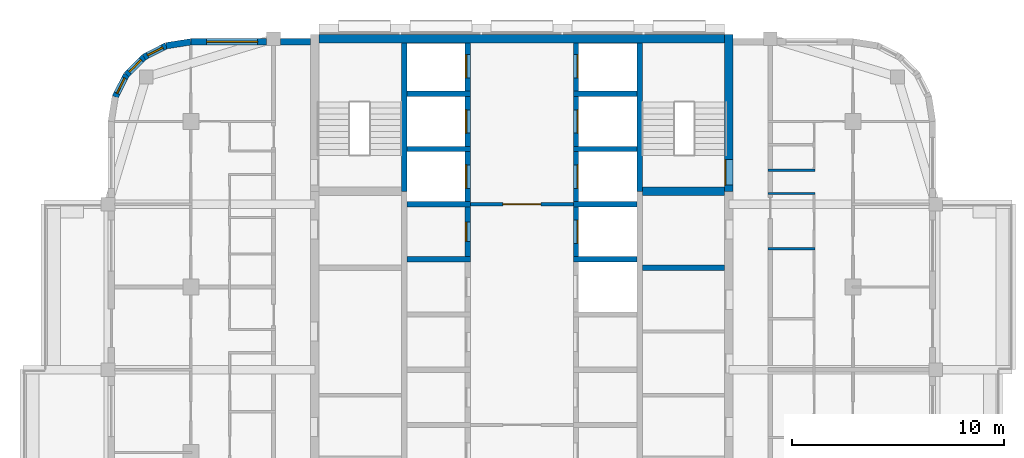
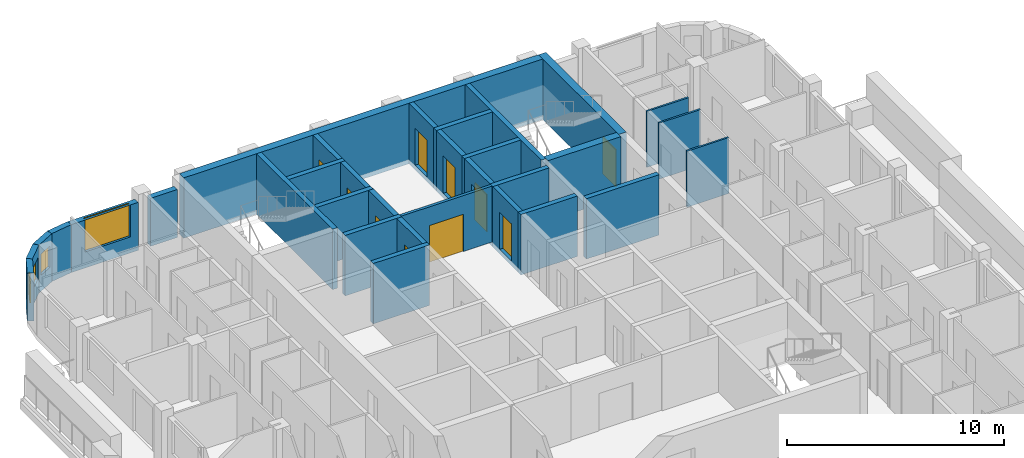
# One storey, part 8 of 13: 32 walls, 10 doors, 4 windows, 14 openings.
"""IFC4 building model written with IfcOpenShell, lengths in metres."""

import ifcopenshell
import ifcopenshell.guid

model = None  # the IFC model being written
_history = None  # IfcOwnerHistory: only IFC2X3 demands one
_inside = {}  # id of a spatial element -> (the spatial element, [elements in it])
_under = {}  # id of a project, library or spatial element -> (it, [spatial elements below it])
_declared = {}  # id of a project -> (the project, [libraries it declares])
_typed = {}  # id of a type object -> (the type object, [elements of that type])
_made_of = {}  # id of a material, layer set ... -> (it, [elements and type objects made of it])


def new_model(schema):
    """Start an empty IFC model of exactly this schema.

    Asked for "IFC4X3", IfcOpenShell would pick the latest addendum, in which some entities
    have other attributes; the version numbers below select the first issue.
    IFC2X3 requires an IfcOwnerHistory on every rooted entity: one is made here for all.
    """
    global model, _history
    if schema == "IFC4X3":
        model = ifcopenshell.file(schema_version=(4, 3, 0, 0))
    else:
        model = ifcopenshell.file(schema=schema)
    _inside.clear()
    _under.clear()
    _declared.clear()
    _typed.clear()
    _made_of.clear()
    _history = None
    if model.schema == "IFC2X3":
        org = make("IfcOrganization", Name="unknown")
        user = make(
            "IfcPersonAndOrganization",
            ThePerson=make("IfcPerson", FamilyName="unknown"),
            TheOrganization=org,
        )
        app = make(
            "IfcApplication",
            ApplicationDeveloper=org,
            Version="unknown",
            ApplicationFullName="unknown",
            ApplicationIdentifier="unknown",
        )
        _history = make(
            "IfcOwnerHistory",
            OwningUser=user,
            OwningApplication=app,
            ChangeAction="ADDED",
            CreationDate=0,
        )
    return model


def make(cls, **values):
    """One entity of the class cls with the attributes given. An attribute that is None is left unset."""
    return model.create_entity(
        cls, **{name: value for name, value in values.items() if value is not None}
    )


def rooted(cls, **values):
    """An entity with a GlobalId (a new one), such as an element, a storey or a relation."""
    return make(cls, GlobalId=ifcopenshell.guid.new(), OwnerHistory=_history, **values)


def si_unit(unit_type, name, prefix=None):
    """IfcSIUnit, for example si_unit("LENGTHUNIT", "METRE", prefix="MILLI")."""
    return make("IfcSIUnit", UnitType=unit_type, Prefix=prefix, Name=name)


def assignment(units):
    """IfcUnitAssignment: the units of a project."""
    return None if units is None else make("IfcUnitAssignment", Units=units)


def point(xyz):
    """IfcCartesianPoint."""
    return None if xyz is None else make("IfcCartesianPoint", Coordinates=xyz)


def direction(xyz):
    """IfcDirection."""
    return None if xyz is None else make("IfcDirection", DirectionRatios=xyz)


def frame(location, z_axis=None, x_axis=None):
    """IfcAxis2Placement3D, a coordinate frame: its origin and axes. An axis left out is left unset."""
    return make(
        "IfcAxis2Placement3D",
        Location=point(location),
        Axis=direction(z_axis),
        RefDirection=direction(x_axis),
    )


def frame_2d(location, x_axis=None):
    """IfcAxis2Placement2D, a coordinate frame in the plane: its origin and x axis."""
    return make(
        "IfcAxis2Placement2D", Location=point(location), RefDirection=direction(x_axis)
    )


def origin():
    """The frame at (0, 0, 0) with its axes left unset."""
    return frame((0.0, 0.0, 0.0))


def place(relative_to, where):
    """IfcLocalPlacement: puts the frame where relative to a parent placement (None: the world)."""
    return make(
        "IfcLocalPlacement", PlacementRelTo=relative_to, RelativePlacement=where
    )


def context(
    kind, dimensions, precision=None, world=None, true_north=None, identifier=None
):
    """IfcGeometricRepresentationContext, for example the 3D "Model" context."""
    return make(
        "IfcGeometricRepresentationContext",
        ContextIdentifier=identifier,
        ContextType=kind,
        CoordinateSpaceDimension=dimensions,
        Precision=precision,
        WorldCoordinateSystem=world,
        TrueNorth=true_north,
    )


def subcontext(parent, identifier, kind, view, scale=None):
    """IfcGeometricRepresentationSubContext, for example "Body" below "Model"."""
    return make(
        "IfcGeometricRepresentationSubContext",
        ContextIdentifier=identifier,
        ContextType=kind,
        ParentContext=parent,
        TargetScale=scale,
        TargetView=view,
    )


def project(units=None, contexts=None):
    """IfcProject with its units and contexts."""
    return rooted(
        "IfcProject",
        Name="project",
        RepresentationContexts=contexts,
        UnitsInContext=assignment(units),
    )


def spatial(cls, under=None, at=None, **own):
    """A site, building, storey or space (cls), placed at a placement, below another one or the project."""
    s = rooted(cls, ObjectPlacement=at, **own)
    if under is not None:
        _under.setdefault(under.id(), (under, []))[1].append(s)
    return s


def profile(cls, at=None, kind="AREA", **sizes):
    """A parametric profile (cls). Its sizes go by their IFC names, for example OverallWidth=200.0."""
    return make(cls, ProfileType=kind, Position=at, **sizes)


def rectangle(**sizes):
    """IfcRectangleProfileDef."""
    return profile("IfcRectangleProfileDef", **sizes)


def extrude(swept, where, along, depth):
    """IfcExtrudedAreaSolid: the profile swept, set in the frame where, extruded along a direction by depth."""
    return make(
        "IfcExtrudedAreaSolid",
        SweptArea=swept,
        Position=where,
        ExtrudedDirection=direction(along),
        Depth=depth,
    )


def shape(context_of_items, identifier, shape_type, items):
    """IfcShapeRepresentation: the items that make up one representation, for example the "Body"."""
    return make(
        "IfcShapeRepresentation",
        ContextOfItems=context_of_items,
        RepresentationIdentifier=identifier,
        RepresentationType=shape_type,
        Items=items,
    )


def material(Name=None, Category=None):
    """IfcMaterial."""
    return make("IfcMaterial", Name=Name, Category=Category)


def layer(
    of_material, thickness, ventilated=None, Name=None, Category=None, Priority=None
):
    """IfcMaterialLayer: one layer of a wall or slab, of a material (None: an air gap)."""
    return make(
        "IfcMaterialLayer",
        Material=of_material,
        LayerThickness=thickness,
        IsVentilated=ventilated,
        Name=Name,
        Category=Category,
        Priority=Priority,
    )


def layer_set(layers, Name=None):
    """IfcMaterialLayerSet."""
    return make("IfcMaterialLayerSet", MaterialLayers=layers, LayerSetName=Name)


def made_of(thing, what):
    """Note that an element or type object is made of a material, layer set ...; save() writes the relation."""
    if what is not None:
        _made_of.setdefault(what.id(), (what, []))[1].append(thing)
    return thing


def type_object(cls, material=None, **own):
    """A type object (cls), such as IfcWallType, which elements share."""
    return made_of(rooted(cls, **own), material)


def element(
    cls,
    number,
    at=None,
    inside=None,
    cuts=None,
    type_object=None,
    material=None,
    context=None,
    identifier="Body",
    shape_type=None,
    held_by="IfcProductDefinitionShape",
    body=None,
    shapes=None,
    **own,
):
    """One element of the class cls, such as IfcWall. Its Tag is "e" and its number.

    at: its placement. inside: the storey or other place that contains it. cuts: it is an
    opening in that element (IfcRelVoidsElement). A single representation is given by context,
    identifier, shape_type and body (its items); several are given by shapes. held_by: the class
    of the entity that holds the representations. save() writes the other relations.
    """
    e = rooted(cls, Tag="e%d" % number, ObjectPlacement=at, **own)
    if body is not None:
        shapes = [shape(context, identifier, shape_type, body)]
    if shapes is not None:
        e.Representation = make(held_by, Representations=shapes)
    if inside is not None:
        _inside.setdefault(inside.id(), (inside, []))[1].append(e)
    if cuts is not None:
        rooted(
            "IfcRelVoidsElement", RelatingBuildingElement=cuts, RelatedOpeningElement=e
        )
    if type_object is not None:
        _typed.setdefault(type_object.id(), (type_object, []))[1].append(e)
    return made_of(e, material)


def fill(opening, filler):
    """IfcRelFillsElement: the door or window that sits in an opening."""
    return rooted(
        "IfcRelFillsElement",
        RelatingOpeningElement=opening,
        RelatedBuildingElement=filler,
    )


def aggregate(whole, parts):
    """IfcRelAggregates: a whole, such as a stair, and the parts it consists of."""
    return rooted("IfcRelAggregates", RelatingObject=whole, RelatedObjects=parts)


def save(model, path):
    """Write the relations noted so far, then the file.

    IfcRelAggregates (storeys below a building ...), IfcRelContainedInSpatialStructure (elements
    in a storey), IfcRelDefinesByType, IfcRelAssociatesMaterial and IfcRelDeclares: one each for
    every whole, place, type object, material and project.
    """
    for whole, parts in _under.values():
        aggregate(whole, parts)
    for where, things in _inside.values():
        rooted(
            "IfcRelContainedInSpatialStructure",
            RelatedElements=things,
            RelatingStructure=where,
        )
    for kind, things in _typed.values():
        rooted("IfcRelDefinesByType", RelatedObjects=things, RelatingType=kind)
    for what, things in _made_of.values():
        rooted("IfcRelAssociatesMaterial", RelatedObjects=things, RelatingMaterial=what)
    for by, libraries in _declared.values():
        rooted("IfcRelDeclares", RelatingContext=by, RelatedDefinitions=libraries)
    model.write(path)


model = new_model("IFC4")

# Units and contexts
model_context = context("Model", 3, precision=1e-05, world=origin(), true_north=direction((0.0, 1.0)))
body_context = subcontext(model_context, "Body", "Model", "MODEL_VIEW")
ifc_project = project(units=[si_unit("LENGTHUNIT", "METRE"), si_unit("AREAUNIT", "SQUARE_METRE"), si_unit("VOLUMEUNIT", "CUBIC_METRE"), si_unit("PLANEANGLEUNIT", "RADIAN"), si_unit("MASSUNIT", "GRAM", prefix="KILO")], contexts=[model_context])

# Site, building, storey
site_placement = place(None, origin())
site = spatial("IfcSite", under=ifc_project, at=site_placement, CompositionType="ELEMENT")
building_placement = place(site_placement, origin())
building = spatial("IfcBuilding", under=site, at=building_placement, Name="Ludao Terraces", CompositionType="ELEMENT")
storey_placement = place(building_placement, frame((0.0, 0.0, 252.800048828125)))
storey = spatial("IfcBuildingStorey", under=building, at=storey_placement, Name="L69", CompositionType="ELEMENT", Elevation=252.800048828125)

# Wall, opening, door
ifc_material_1 = material(Name="Concrete C50", Category="concrete")
ifc_layer_1 = layer(ifc_material_1, 0.39990234375)
ifc_layer_set_1 = layer_set([ifc_layer_1], Name="Core wall 400 C50")
wall_type_1 = type_object("IfcWallType", Name="Core wall 400 C50", PredefinedType="SOLIDWALL", material=ifc_layer_set_1)
wall_1_placement = place(storey_placement, frame((94.75, 77.300048828125, -0.25), z_axis=(0.0, 0.0, 1.0), x_axis=(0.0, 1.0, 0.0)))
wall_1 = element("IfcWall", 1, at=wall_1_placement, inside=storey, type_object=wall_type_1, Name="Core wall L69 outer-E-S2", PredefinedType="SOLIDWALL", context=body_context, shape_type="SweptSolid", body=[
    extrude(rectangle(XDim=7.39990234375, YDim=0.39990234375, at=frame_2d((3.699951171875, 0.0))), origin(), (0.0, 0.0, 1.0), 3.39990234375),
])
opening_1_placement = place(wall_1_placement, frame((0.300048828125, 0.0, 0.25)))
opening_1 = element("IfcOpeningElement", 2, at=opening_1_placement, cuts=wall_1, Name="Opening R25-079", PredefinedType="OPENING", context=body_context, shape_type="SweptSolid", body=[
    extrude(rectangle(XDim=1.199951171875, YDim=2.10009765625, at=frame_2d((0.60009765625, 1.050048828125))), frame((0.0, 0.2099609375, 0.0), z_axis=(0.0, -1.0, 0.0), x_axis=(1.0, 0.0, 0.0)), (0.0, 0.0, 1.0), 0.419921875),
])
ifc_material_2 = material(Name="Steel Q235", Category="steel")
door_type_1 = type_object("IfcDoorType", Name="INT Stair door 1200", OperationType="DOUBLE_DOOR_SINGLE_SWING", PredefinedType="DOOR", material=ifc_material_2)
door_1_placement = place(opening_1_placement, origin())
door_1 = element("IfcDoor", 3, at=door_1_placement, inside=storey, type_object=door_type_1, Name="DOOR 079", OperationType="DOUBLE_DOOR_SINGLE_SWING", OverallHeight=2.10009765625, OverallWidth=1.199951171875, PredefinedType="DOOR", context=body_context, shape_type="SweptSolid", body=[
    extrude(rectangle(XDim=1.199951171875, YDim=2.10009765625, at=frame_2d((0.60009765625, 1.050048828125))), frame((0.0, 0.18505859375, 0.0), z_axis=(0.0, -1.0, 0.0), x_axis=(1.0, 0.0, 0.0)), (0.0, 0.0, 1.0), 0.050048828125),
])
fill(opening_1, door_1)

# Wall
wall_2_placement = place(storey_placement, frame((75.449951171875, 84.5, -0.25), z_axis=(0.0, 0.0, 1.0), x_axis=(1.0, 0.0, 0.0)))
element("IfcWall", 4, at=wall_2_placement, inside=storey, type_object=wall_type_1, Name="Core wall L69 outer-N", PredefinedType="SOLIDWALL", context=body_context, shape_type="SweptSolid", body=[
    extrude(rectangle(XDim=19.10009765625, YDim=0.39990234375, at=frame_2d((9.550048828125, 0.0))), origin(), (0.0, 0.0, 1.0), 3.39990234375),
])

# Wall, opening, window
ifc_material_3 = material(Name="Granite cladding", Category="masonry")
ifc_layer_2 = layer(ifc_material_3, 0.0400390625, Category="stone")
ifc_material_4 = material(Name="Mineral wool")
ifc_layer_3 = layer(ifc_material_4, 0.06005859375)
ifc_material_5 = material(Name="Concrete C40", Category="concrete")
ifc_layer_4 = layer(ifc_material_5, 0.199951171875, Category="concrete")
ifc_layer_set_2 = layer_set([ifc_layer_2, ifc_layer_3, ifc_layer_4], Name="ENV Stone-clad wall 300")
wall_type_2 = type_object("IfcWallType", Name="ENV Stone-clad wall 300", PredefinedType="SOLIDWALL", material=ifc_layer_set_2)
wall_3_placement = place(storey_placement, frame((69.39990234375, 84.35009765625, 0.0), z_axis=(0.0, 0.0, 1.0), x_axis=(1.0, 0.0, 0.0)))
wall_3 = element("IfcWall", 5, at=wall_3_placement, inside=storey, type_object=wall_type_2, Name="EW-L69-N1", PredefinedType="SOLIDWALL", context=body_context, shape_type="SweptSolid", body=[
    extrude(rectangle(XDim=3.5751953125, YDim=0.300048828125, at=frame_2d((1.78759765625, 0.0))), origin(), (0.0, 0.0, 1.0), 2.699951171875),
])
opening_2_placement = place(wall_3_placement, frame((0.75, 0.0, 0.89990234375)))
opening_2 = element("IfcOpeningElement", 6, at=opening_2_placement, cuts=wall_3, Name="Opening W1", PredefinedType="OPENING", context=body_context, shape_type="SweptSolid", body=[
    extrude(rectangle(XDim=2.39990234375, YDim=1.800048828125, at=frame_2d((1.199951171875, 0.89990234375))), frame((0.0, 0.16015625, 0.0), z_axis=(0.0, -1.0, 0.0), x_axis=(1.0, 0.0, 0.0)), (0.0, 0.0, 1.0), 0.320068359375),
])
ifc_material_6 = material(Name="Clear glass in aluminium frame", Category="aluminium")
ifc_layer_5 = layer(ifc_material_6, 0.06005859375)
ifc_layer_set_3 = layer_set([ifc_layer_5], Name="ENV Window W1 2400x1800")
window_type_1 = type_object("IfcWindowType", Name="ENV Window W1 2400x1800", PartitioningType="DOUBLE_PANEL_VERTICAL", PredefinedType="WINDOW", material=ifc_layer_set_3)
window_1_placement = place(opening_2_placement, origin())
window_1 = element("IfcWindow", 7, at=window_1_placement, inside=storey, type_object=window_type_1, Name="W-L69-N1-1", OverallHeight=1.800048828125, OverallWidth=2.39990234375, PartitioningType="DOUBLE_PANEL_VERTICAL", PredefinedType="WINDOW", context=body_context, shape_type="SweptSolid", body=[
    extrude(rectangle(XDim=2.39990234375, YDim=1.800048828125, at=frame_2d((1.199951171875, 0.89990234375))), frame((0.0, 0.030029296875, 0.0), z_axis=(0.0, -1.0, 0.0), x_axis=(1.0, 0.0, 0.0)), (0.0, 0.0, 1.0), 0.06005859375),
])
fill(opening_2, window_1)

# Walls
wall_4_placement = place(storey_placement, frame((73.625, 84.35009765625, 0.0), z_axis=(0.0, 0.0, 1.0), x_axis=(1.0, 0.0, 0.0)))
element("IfcWall", 8, at=wall_4_placement, inside=storey, type_object=wall_type_2, Name="EW-L69-N2", PredefinedType="SOLIDWALL", context=body_context, shape_type="SweptSolid", body=[
    extrude(rectangle(XDim=1.425048828125, YDim=0.300048828125, at=frame_2d((0.71240234375, 0.0))), origin(), (0.0, 0.0, 1.0), 2.699951171875),
])
wall_5_placement = place(storey_placement, frame((69.39990234375, 84.35009765625, 0.0), z_axis=(0.0, 0.0, 1.0), x_axis=(-0.987678452879, -0.156496880861, 0.0)))
element("IfcWall", 9, at=wall_5_placement, inside=storey, type_object=wall_type_2, Name="EW-L69-NW1", PredefinedType="SOLIDWALL", context=body_context, shape_type="SweptSolid", body=[
    extrude(rectangle(XDim=1.173095703125, YDim=0.300048828125, at=frame_2d((0.58642578125, 0.0))), origin(), (0.0, 0.0, 1.0), 2.699951171875),
])

# Wall, opening, window
wall_6_placement = place(storey_placement, frame((68.2412109375, 84.16650390625, 0.0), z_axis=(0.0, 0.0, 1.0), x_axis=(-0.890988677504, -0.454025524128, 0.0)))
wall_6 = element("IfcWall", 10, at=wall_6_placement, inside=storey, type_object=wall_type_2, Name="EW-L69-NW2", PredefinedType="SOLIDWALL", context=body_context, shape_type="SweptSolid", body=[
    extrude(rectangle(XDim=1.17333984375, YDim=0.300048828125, at=frame_2d((0.586669921875, 0.0))), origin(), (0.0, 0.0, 1.0), 2.699951171875),
])
opening_3_placement = place(wall_6_placement, frame((0.1865234375, 0.0, 0.89990234375)))
opening_3 = element("IfcOpeningElement", 11, at=opening_3_placement, cuts=wall_6, Name="Opening W3", PredefinedType="OPENING", context=body_context, shape_type="SweptSolid", body=[
    extrude(rectangle(XDim=0.800048828125, YDim=1.199951171875, at=frame_2d((0.39990234375, 0.60009765625))), frame((0.0, 0.16015625, 0.0), z_axis=(0.0, -1.0, 0.0), x_axis=(1.0, 0.0, 0.0)), (0.0, 0.0, 1.0), 0.320068359375),
])
ifc_layer_6 = layer(ifc_material_6, 0.06005859375)
ifc_layer_set_4 = layer_set([ifc_layer_6], Name="ENV Window W3 800x1200")
window_type_2 = type_object("IfcWindowType", Name="ENV Window W3 800x1200", PartitioningType="SINGLE_PANEL", PredefinedType="WINDOW", material=ifc_layer_set_4)
window_2_placement = place(opening_3_placement, origin())
window_2 = element("IfcWindow", 12, at=window_2_placement, inside=storey, type_object=window_type_2, Name="W-L69-NW2", OverallHeight=1.199951171875, OverallWidth=0.800048828125, PartitioningType="SINGLE_PANEL", PredefinedType="WINDOW", context=body_context, shape_type="SweptSolid", body=[
    extrude(rectangle(XDim=0.800048828125, YDim=1.199951171875, at=frame_2d((0.39990234375, 0.60009765625))), frame((0.0, 0.030029296875, 0.0), z_axis=(0.0, -1.0, 0.0), x_axis=(1.0, 0.0, 0.0)), (0.0, 0.0, 1.0), 0.06005859375),
])
fill(opening_3, window_2)

wall_7_placement = place(storey_placement, frame((67.19580078125, 83.6337890625, 0.0), z_axis=(0.0, 0.0, 1.0), x_axis=(-0.707106781187, -0.707106781187, 0.0)))
wall_7 = element("IfcWall", 13, at=wall_7_placement, inside=storey, type_object=wall_type_2, Name="EW-L69-NW3", PredefinedType="SOLIDWALL", context=body_context, shape_type="SweptSolid", body=[
    extrude(rectangle(XDim=1.173095703125, YDim=0.300048828125, at=frame_2d((0.58642578125, 0.0))), origin(), (0.0, 0.0, 1.0), 2.699951171875),
])
opening_4_placement = place(wall_7_placement, frame((0.1865234375, 0.0, 0.89990234375)))
opening_4 = element("IfcOpeningElement", 14, at=opening_4_placement, cuts=wall_7, Name="Opening W3", PredefinedType="OPENING", context=body_context, shape_type="SweptSolid", body=[
    extrude(rectangle(XDim=0.800048828125, YDim=1.199951171875, at=frame_2d((0.39990234375, 0.60009765625))), frame((0.0, 0.16015625, 0.0), z_axis=(0.0, -1.0, 0.0), x_axis=(1.0, 0.0, 0.0)), (0.0, 0.0, 1.0), 0.320068359375),
])
window_3_placement = place(opening_4_placement, origin())
window_3 = element("IfcWindow", 15, at=window_3_placement, inside=storey, type_object=window_type_2, Name="W-L69-NW3", OverallHeight=1.199951171875, OverallWidth=0.800048828125, PartitioningType="SINGLE_PANEL", PredefinedType="WINDOW", context=body_context, shape_type="SweptSolid", body=[
    extrude(rectangle(XDim=0.800048828125, YDim=1.199951171875, at=frame_2d((0.39990234375, 0.60009765625))), frame((0.0, 0.030029296875, 0.0), z_axis=(0.0, -1.0, 0.0), x_axis=(1.0, 0.0, 0.0)), (0.0, 0.0, 1.0), 0.06005859375),
])
fill(opening_4, window_3)

wall_8_placement = place(storey_placement, frame((66.3662109375, 82.80419921875, 0.0), z_axis=(0.0, 0.0, 1.0), x_axis=(-0.454025524128, -0.890988677504, 0.0)))
wall_8 = element("IfcWall", 16, at=wall_8_placement, inside=storey, type_object=wall_type_2, Name="EW-L69-NW4", PredefinedType="SOLIDWALL", context=body_context, shape_type="SweptSolid", body=[
    extrude(rectangle(XDim=1.17333984375, YDim=0.300048828125, at=frame_2d((0.586669921875, 0.0))), origin(), (0.0, 0.0, 1.0), 2.699951171875),
])
opening_5_placement = place(wall_8_placement, frame((0.1865234375, 0.0, 0.89990234375)))
opening_5 = element("IfcOpeningElement", 17, at=opening_5_placement, cuts=wall_8, Name="Opening W3", PredefinedType="OPENING", context=body_context, shape_type="SweptSolid", body=[
    extrude(rectangle(XDim=0.800048828125, YDim=1.199951171875, at=frame_2d((0.39990234375, 0.60009765625))), frame((0.0, 0.16015625, 0.0), z_axis=(0.0, -1.0, 0.0), x_axis=(1.0, 0.0, 0.0)), (0.0, 0.0, 1.0), 0.320068359375),
])
window_4_placement = place(opening_5_placement, origin())
window_4 = element("IfcWindow", 18, at=window_4_placement, inside=storey, type_object=window_type_2, Name="W-L69-NW4", OverallHeight=1.199951171875, OverallWidth=0.800048828125, PartitioningType="SINGLE_PANEL", PredefinedType="WINDOW", context=body_context, shape_type="SweptSolid", body=[
    extrude(rectangle(XDim=0.800048828125, YDim=1.199951171875, at=frame_2d((0.39990234375, 0.60009765625))), frame((0.0, 0.030029296875, 0.0), z_axis=(0.0, -1.0, 0.0), x_axis=(1.0, 0.0, 0.0)), (0.0, 0.0, 1.0), 0.06005859375),
])
fill(opening_5, window_4)

# Wall, opening, door
ifc_material_7 = material(Name="Fire-rated gypsum plasterboard", Category="gypsum")
ifc_layer_7 = layer(ifc_material_7, 0.012451171875, Category="gypsum")
ifc_layer_8 = layer(ifc_material_4, 0.10009765625, Name="insulation")
ifc_layer_9 = layer(ifc_material_2, 0.02490234375, Name="stud")
ifc_layer_10 = layer(ifc_material_7, 0.012451171875, Category="gypsum")
ifc_layer_set_5 = layer_set([ifc_layer_7, ifc_layer_8, ifc_layer_9, ifc_layer_10], Name="INT Core partition 150")
wall_type_3 = type_object("IfcWallType", Name="INT Core partition 150", PredefinedType="PARTITIONING", material=ifc_layer_set_5)
wall_9_placement = place(storey_placement, frame((82.5751953125, 76.699951171875, 0.0), z_axis=(0.0, 0.0, 1.0), x_axis=(1.0, 0.0, 0.0)))
wall_9 = element("IfcWall", 19, at=wall_9_placement, inside=storey, type_object=wall_type_3, Name="PW-L69-PW041", PredefinedType="PARTITIONING", context=body_context, shape_type="SweptSolid", body=[
    extrude(rectangle(XDim=4.849853515625, YDim=0.14990234375, at=frame_2d((2.4248046875, 0.0))), origin(), (0.0, 0.0, 1.0), 3.14990234375),
])
opening_6_placement = place(wall_9_placement, frame((1.52490234375, 0.0, 0.0)))
opening_6 = element("IfcOpeningElement", 20, at=opening_6_placement, cuts=wall_9, Name="Opening R25-074", PredefinedType="OPENING", context=body_context, shape_type="SweptSolid", body=[
    extrude(rectangle(XDim=1.800048828125, YDim=2.10009765625, at=frame_2d((0.89990234375, 1.050048828125))), frame((0.0, 0.0849609375, 0.0), z_axis=(0.0, -1.0, 0.0), x_axis=(1.0, 0.0, 0.0)), (0.0, 0.0, 1.0), 0.169921875),
])
door_type_2 = type_object("IfcDoorType", Name="INT Fire lobby door 1800", OperationType="DOUBLE_DOOR_SINGLE_SWING", PredefinedType="DOOR", material=ifc_material_2)
door_2_placement = place(opening_6_placement, origin())
door_2 = element("IfcDoor", 21, at=door_2_placement, inside=storey, type_object=door_type_2, Name="DOOR 074", OperationType="DOUBLE_DOOR_SINGLE_SWING", OverallHeight=2.10009765625, OverallWidth=1.800048828125, PredefinedType="DOOR", context=body_context, shape_type="SweptSolid", body=[
    extrude(rectangle(XDim=1.800048828125, YDim=2.10009765625, at=frame_2d((0.89990234375, 1.050048828125))), frame((0.0, 0.02490234375, 0.0), z_axis=(0.0, -1.0, 0.0), x_axis=(1.0, 0.0, 0.0)), (0.0, 0.0, 1.0), 0.050048828125),
])
fill(opening_6, door_2)

# Walls
ifc_material_8 = material(Name="Gypsum plasterboard", Category="gypsum")
ifc_layer_11 = layer(ifc_material_8, 0.012451171875, Category="gypsum")
ifc_layer_12 = layer(ifc_material_4, 0.06005859375, Name="insulation")
ifc_layer_13 = layer(ifc_material_2, 0.014892578125, Name="stud")
ifc_layer_14 = layer(ifc_material_8, 0.012451171875, Category="gypsum")
ifc_layer_set_6 = layer_set([ifc_layer_11, ifc_layer_12, ifc_layer_13, ifc_layer_14], Name="INT Partition 100")
wall_type_4 = type_object("IfcWallType", Name="INT Partition 100", PredefinedType="PARTITIONING", material=ifc_layer_set_6)
for number, where, z_axis, x_axis, name in (
    (22, (96.60009765625, 74.60009765625, 0.0), (0.0, 0.0, 1.0), (1.0, 0.0, 0.0), "PW-L69-PW038"),
    (23, (96.60009765625, 77.199951171875, 0.0), (0.0, 0.0, 1.0), (1.0, 0.0, 0.0), "PW-L69-PW043"),
    (24, (96.60009765625, 78.300048828125, 0.0), (0.0, 0.0, 1.0), (1.0, 0.0, 0.0), "PW-L69-PW045"),
):
    element("IfcWall", number, at=place(storey_placement, frame(where, z_axis=z_axis, x_axis=x_axis)), inside=storey, type_object=wall_type_4, Name=name, PredefinedType="PARTITIONING", context=body_context, shape_type="SweptSolid", body=[
        extrude(rectangle(XDim=2.219970703125, YDim=0.10009765625, at=frame_2d((1.10986328125, 0.0))), origin(), (0.0, 0.0, 1.0), 3.14990234375),
    ])
ifc_layer_15 = layer(ifc_material_1, 0.25)
ifc_layer_set_7 = layer_set([ifc_layer_15], Name="Shaft wall 250 C50")
wall_type_5 = type_object("IfcWallType", Name="Shaft wall 250 C50", PredefinedType="SOLIDWALL", material=ifc_layer_set_7)
for number, where, z_axis, x_axis, name in (
    (25, (79.449951171875, 77.300048828125, -0.25), (0.0, 0.0, 1.0), (0.0, 1.0, 0.0), "Core wall L69 back-W-S1"),
    (26, (90.550048828125, 77.300048828125, -0.25), (0.0, 0.0, 1.0), (0.0, 1.0, 0.0), "Core wall L69 back-E-S2"),
):
    element("IfcWall", number, at=place(storey_placement, frame(where, z_axis=z_axis, x_axis=x_axis)), inside=storey, type_object=wall_type_5, Name=name, PredefinedType="SOLIDWALL", context=body_context, shape_type="SweptSolid", body=[
        extrude(rectangle(XDim=7.0, YDim=0.25, at=frame_2d((3.5, 0.0))), origin(), (0.0, 0.0, 1.0), 3.39990234375),
    ])
wall_10_placement = place(storey_placement, frame((79.574951171875, 74.10009765625, -0.25), z_axis=(0.0, 0.0, 1.0), x_axis=(1.0, 0.0, 0.0)))
element("IfcWall", 27, at=wall_10_placement, inside=storey, type_object=wall_type_5, Name="Core wall L69 div-W6", PredefinedType="SOLIDWALL", context=body_context, shape_type="SweptSolid", body=[
    extrude(rectangle(XDim=3.0, YDim=0.25, at=frame_2d((1.5, 0.0))), origin(), (0.0, 0.0, 1.0), 3.39990234375),
])

# Wall, opening, door
wall_11_placement = place(storey_placement, frame((82.449951171875, 74.22509765625, -0.25), z_axis=(0.0, 0.0, 1.0), x_axis=(0.0, 1.0, 0.0)))
wall_11 = element("IfcWall", 28, at=wall_11_placement, inside=storey, type_object=wall_type_5, Name="Core wall L69 front-W6", PredefinedType="SOLIDWALL", context=body_context, shape_type="SweptSolid", body=[
    extrude(rectangle(XDim=2.349853515625, YDim=0.25, at=frame_2d((1.1748046875, 0.0))), origin(), (0.0, 0.0, 1.0), 3.39990234375),
])
opening_7_placement = place(wall_11_placement, frame((0.72509765625, 0.0, 0.25)))
opening_7 = element("IfcOpeningElement", 29, at=opening_7_placement, cuts=wall_11, Name="Opening R25-068", PredefinedType="OPENING", context=body_context, shape_type="SweptSolid", body=[
    extrude(rectangle(XDim=0.89990234375, YDim=2.10009765625, at=frame_2d((0.449951171875, 1.050048828125))), frame((0.0, 0.135009765625, 0.0), z_axis=(0.0, -1.0, 0.0), x_axis=(1.0, 0.0, 0.0)), (0.0, 0.0, 1.0), 0.27001953125),
])
ifc_material_9 = material(Name="Timber door leaf", Category="wood")
door_type_3 = type_object("IfcDoorType", Name="INT Room door 900", OperationType="SINGLE_SWING_LEFT", PredefinedType="DOOR", material=ifc_material_9)
door_3_placement = place(opening_7_placement, origin())
door_3 = element("IfcDoor", 30, at=door_3_placement, inside=storey, type_object=door_type_3, Name="DOOR 068", OperationType="SINGLE_SWING_LEFT", OverallHeight=2.10009765625, OverallWidth=0.89990234375, PredefinedType="DOOR", context=body_context, shape_type="SweptSolid", body=[
    extrude(rectangle(XDim=0.89990234375, YDim=2.10009765625, at=frame_2d((0.449951171875, 1.050048828125))), frame((0.0, 0.10986328125, 0.0), z_axis=(0.0, -1.0, 0.0), x_axis=(1.0, 0.0, 0.0)), (0.0, 0.0, 1.0), 0.050048828125),
])
fill(opening_7, door_3)

# Wall
wall_12_placement = place(storey_placement, frame((79.574951171875, 76.699951171875, -0.25), z_axis=(0.0, 0.0, 1.0), x_axis=(1.0, 0.0, 0.0)))
element("IfcWall", 31, at=wall_12_placement, inside=storey, type_object=wall_type_5, Name="Core wall L69 div-W7", PredefinedType="SOLIDWALL", context=body_context, shape_type="SweptSolid", body=[
    extrude(rectangle(XDim=3.0, YDim=0.25, at=frame_2d((1.5, 0.0))), origin(), (0.0, 0.0, 1.0), 3.39990234375),
])

# Wall, opening, door
wall_13_placement = place(storey_placement, frame((82.449951171875, 76.824951171875, -0.25), z_axis=(0.0, 0.0, 1.0), x_axis=(0.0, 1.0, 0.0)))
wall_13 = element("IfcWall", 32, at=wall_13_placement, inside=storey, type_object=wall_type_5, Name="Core wall L69 front-W7", PredefinedType="SOLIDWALL", context=body_context, shape_type="SweptSolid", body=[
    extrude(rectangle(XDim=2.35009765625, YDim=0.25, at=frame_2d((1.175048828125, 0.0))), origin(), (0.0, 0.0, 1.0), 3.39990234375),
])
opening_8_placement = place(wall_13_placement, frame((0.625, 0.0, 0.25)))
opening_8 = element("IfcOpeningElement", 33, at=opening_8_placement, cuts=wall_13, Name="Opening LD-FF1", PredefinedType="OPENING", context=body_context, shape_type="SweptSolid", body=[
    extrude(rectangle(XDim=1.10009765625, YDim=2.10009765625, at=frame_2d((0.550048828125, 1.050048828125))), frame((0.0, 0.135009765625, 0.0), z_axis=(0.0, -1.0, 0.0), x_axis=(1.0, 0.0, 0.0)), (0.0, 0.0, 1.0), 0.27001953125),
])
ifc_material_10 = material(Name="Stainless steel 304", Category="steel")
door_type_4 = type_object("IfcDoorType", Name="INT Lift landing door 1100", OperationType="SLIDING_TO_LEFT", PredefinedType="DOOR", material=ifc_material_10)
door_4_placement = place(opening_8_placement, origin())
door_4 = element("IfcDoor", 34, at=door_4_placement, inside=storey, type_object=door_type_4, Name="LANDING DOOR FF1 L69", OperationType="SLIDING_TO_LEFT", OverallHeight=2.10009765625, OverallWidth=1.10009765625, PredefinedType="DOOR", context=body_context, shape_type="SweptSolid", body=[
    extrude(rectangle(XDim=1.10009765625, YDim=2.10009765625, at=frame_2d((0.550048828125, 1.050048828125))), frame((0.0, 0.10986328125, 0.0), z_axis=(0.0, -1.0, 0.0), x_axis=(1.0, 0.0, 0.0)), (0.0, 0.0, 1.0), 0.050048828125),
])
fill(opening_8, door_4)

# Wall
wall_14_placement = place(storey_placement, frame((79.574951171875, 79.300048828125, -0.25), z_axis=(0.0, 0.0, 1.0), x_axis=(1.0, 0.0, 0.0)))
element("IfcWall", 35, at=wall_14_placement, inside=storey, type_object=wall_type_5, Name="Core wall L69 div-W8", PredefinedType="SOLIDWALL", context=body_context, shape_type="SweptSolid", body=[
    extrude(rectangle(XDim=3.0, YDim=0.25, at=frame_2d((1.5, 0.0))), origin(), (0.0, 0.0, 1.0), 3.39990234375),
])

# Wall, opening, door
wall_15_placement = place(storey_placement, frame((82.449951171875, 79.425048828125, -0.25), z_axis=(0.0, 0.0, 1.0), x_axis=(0.0, 1.0, 0.0)))
wall_15 = element("IfcWall", 36, at=wall_15_placement, inside=storey, type_object=wall_type_5, Name="Core wall L69 front-W8", PredefinedType="SOLIDWALL", context=body_context, shape_type="SweptSolid", body=[
    extrude(rectangle(XDim=2.349853515625, YDim=0.25, at=frame_2d((1.1748046875, 0.0))), origin(), (0.0, 0.0, 1.0), 3.39990234375),
])
opening_9_placement = place(wall_15_placement, frame((0.625, 0.0, 0.25)))
opening_9 = element("IfcOpeningElement", 37, at=opening_9_placement, cuts=wall_15, Name="Opening LD-FF2", PredefinedType="OPENING", context=body_context, shape_type="SweptSolid", body=[
    extrude(rectangle(XDim=1.10009765625, YDim=2.10009765625, at=frame_2d((0.550048828125, 1.050048828125))), frame((0.0, 0.135009765625, 0.0), z_axis=(0.0, -1.0, 0.0), x_axis=(1.0, 0.0, 0.0)), (0.0, 0.0, 1.0), 0.27001953125),
])
door_5_placement = place(opening_9_placement, origin())
door_5 = element("IfcDoor", 38, at=door_5_placement, inside=storey, type_object=door_type_4, Name="LANDING DOOR FF2 L69", OperationType="SLIDING_TO_LEFT", OverallHeight=2.10009765625, OverallWidth=1.10009765625, PredefinedType="DOOR", context=body_context, shape_type="SweptSolid", body=[
    extrude(rectangle(XDim=1.10009765625, YDim=2.10009765625, at=frame_2d((0.550048828125, 1.050048828125))), frame((0.0, 0.10986328125, 0.0), z_axis=(0.0, -1.0, 0.0), x_axis=(1.0, 0.0, 0.0)), (0.0, 0.0, 1.0), 0.050048828125),
])
fill(opening_9, door_5)

# Wall
wall_16_placement = place(storey_placement, frame((79.574951171875, 81.89990234375, -0.25), z_axis=(0.0, 0.0, 1.0), x_axis=(1.0, 0.0, 0.0)))
element("IfcWall", 39, at=wall_16_placement, inside=storey, type_object=wall_type_5, Name="Core wall L69 div-W9", PredefinedType="SOLIDWALL", context=body_context, shape_type="SweptSolid", body=[
    extrude(rectangle(XDim=3.0, YDim=0.25, at=frame_2d((1.5, 0.0))), origin(), (0.0, 0.0, 1.0), 3.39990234375),
])

# Wall, opening, door
wall_17_placement = place(storey_placement, frame((82.449951171875, 82.02490234375, -0.25), z_axis=(0.0, 0.0, 1.0), x_axis=(0.0, 1.0, 0.0)))
wall_17 = element("IfcWall", 40, at=wall_17_placement, inside=storey, type_object=wall_type_5, Name="Core wall L69 front-W9", PredefinedType="SOLIDWALL", context=body_context, shape_type="SweptSolid", body=[
    extrude(rectangle(XDim=2.275146484375, YDim=0.25, at=frame_2d((1.1376953125, 0.0))), origin(), (0.0, 0.0, 1.0), 3.39990234375),
])
opening_10_placement = place(wall_17_placement, frame((0.625, 0.0, 0.25)))
opening_10 = element("IfcOpeningElement", 41, at=opening_10_placement, cuts=wall_17, Name="Opening LD-LB6", PredefinedType="OPENING", context=body_context, shape_type="SweptSolid", body=[
    extrude(rectangle(XDim=1.10009765625, YDim=2.10009765625, at=frame_2d((0.550048828125, 1.050048828125))), frame((0.0, 0.135009765625, 0.0), z_axis=(0.0, -1.0, 0.0), x_axis=(1.0, 0.0, 0.0)), (0.0, 0.0, 1.0), 0.27001953125),
])
door_6_placement = place(opening_10_placement, origin())
door_6 = element("IfcDoor", 42, at=door_6_placement, inside=storey, type_object=door_type_4, Name="LANDING DOOR LB6 L69", OperationType="SLIDING_TO_RIGHT", OverallHeight=2.10009765625, OverallWidth=1.10009765625, PredefinedType="DOOR", context=body_context, shape_type="SweptSolid", body=[
    extrude(rectangle(XDim=1.10009765625, YDim=2.10009765625, at=frame_2d((0.550048828125, 1.050048828125))), frame((0.0, 0.10986328125, 0.0), z_axis=(0.0, -1.0, 0.0), x_axis=(1.0, 0.0, 0.0)), (0.0, 0.0, 1.0), 0.050048828125),
])
fill(opening_10, door_6)

# Wall
wall_18_placement = place(storey_placement, frame((87.425048828125, 74.10009765625, -0.25), z_axis=(0.0, 0.0, 1.0), x_axis=(1.0, 0.0, 0.0)))
element("IfcWall", 43, at=wall_18_placement, inside=storey, type_object=wall_type_5, Name="Core wall L69 div-E6", PredefinedType="SOLIDWALL", context=body_context, shape_type="SweptSolid", body=[
    extrude(rectangle(XDim=3.0, YDim=0.25, at=frame_2d((1.5, 0.0))), origin(), (0.0, 0.0, 1.0), 3.39990234375),
])

# Wall, opening, door
wall_19_placement = place(storey_placement, frame((87.550048828125, 74.22509765625, -0.25), z_axis=(0.0, 0.0, 1.0), x_axis=(0.0, 1.0, 0.0)))
wall_19 = element("IfcWall", 44, at=wall_19_placement, inside=storey, type_object=wall_type_5, Name="Core wall L69 front-E6", PredefinedType="SOLIDWALL", context=body_context, shape_type="SweptSolid", body=[
    extrude(rectangle(XDim=2.349853515625, YDim=0.25, at=frame_2d((1.1748046875, 0.0))), origin(), (0.0, 0.0, 1.0), 3.39990234375),
])
opening_11_placement = place(wall_19_placement, frame((0.625, 0.0, 0.25)))
opening_11 = element("IfcOpeningElement", 45, at=opening_11_placement, cuts=wall_19, Name="Opening LD-LB2", PredefinedType="OPENING", context=body_context, shape_type="SweptSolid", body=[
    extrude(rectangle(XDim=1.10009765625, YDim=2.10009765625, at=frame_2d((0.550048828125, 1.050048828125))), frame((0.0, 0.135009765625, 0.0), z_axis=(0.0, -1.0, 0.0), x_axis=(1.0, 0.0, 0.0)), (0.0, 0.0, 1.0), 0.27001953125),
])
door_7_placement = place(opening_11_placement, origin())
door_7 = element("IfcDoor", 46, at=door_7_placement, inside=storey, type_object=door_type_4, Name="LANDING DOOR LB2 L69", OperationType="SLIDING_TO_LEFT", OverallHeight=2.10009765625, OverallWidth=1.10009765625, PredefinedType="DOOR", context=body_context, shape_type="SweptSolid", body=[
    extrude(rectangle(XDim=1.10009765625, YDim=2.10009765625, at=frame_2d((0.550048828125, 1.050048828125))), frame((0.0, -0.06005859375, 0.0), z_axis=(0.0, -1.0, 0.0), x_axis=(1.0, 0.0, 0.0)), (0.0, 0.0, 1.0), 0.050048828125),
])
fill(opening_11, door_7)

# Wall
wall_20_placement = place(storey_placement, frame((87.425048828125, 76.699951171875, -0.25), z_axis=(0.0, 0.0, 1.0), x_axis=(1.0, 0.0, 0.0)))
element("IfcWall", 47, at=wall_20_placement, inside=storey, type_object=wall_type_5, Name="Core wall L69 div-E7", PredefinedType="SOLIDWALL", context=body_context, shape_type="SweptSolid", body=[
    extrude(rectangle(XDim=3.0, YDim=0.25, at=frame_2d((1.5, 0.0))), origin(), (0.0, 0.0, 1.0), 3.39990234375),
])

# Wall, opening, door
wall_21_placement = place(storey_placement, frame((87.550048828125, 76.824951171875, -0.25), z_axis=(0.0, 0.0, 1.0), x_axis=(0.0, 1.0, 0.0)))
wall_21 = element("IfcWall", 48, at=wall_21_placement, inside=storey, type_object=wall_type_5, Name="Core wall L69 front-E7", PredefinedType="SOLIDWALL", context=body_context, shape_type="SweptSolid", body=[
    extrude(rectangle(XDim=2.35009765625, YDim=0.25, at=frame_2d((1.175048828125, 0.0))), origin(), (0.0, 0.0, 1.0), 3.39990234375),
])
opening_12_placement = place(wall_21_placement, frame((0.625, 0.0, 0.25)))
opening_12 = element("IfcOpeningElement", 49, at=opening_12_placement, cuts=wall_21, Name="Opening LD-LB3", PredefinedType="OPENING", context=body_context, shape_type="SweptSolid", body=[
    extrude(rectangle(XDim=1.10009765625, YDim=2.10009765625, at=frame_2d((0.550048828125, 1.050048828125))), frame((0.0, 0.135009765625, 0.0), z_axis=(0.0, -1.0, 0.0), x_axis=(1.0, 0.0, 0.0)), (0.0, 0.0, 1.0), 0.27001953125),
])
door_8_placement = place(opening_12_placement, origin())
door_8 = element("IfcDoor", 50, at=door_8_placement, inside=storey, type_object=door_type_4, Name="LANDING DOOR LB3 L69", OperationType="SLIDING_TO_LEFT", OverallHeight=2.10009765625, OverallWidth=1.10009765625, PredefinedType="DOOR", context=body_context, shape_type="SweptSolid", body=[
    extrude(rectangle(XDim=1.10009765625, YDim=2.10009765625, at=frame_2d((0.550048828125, 1.050048828125))), frame((0.0, -0.06005859375, 0.0), z_axis=(0.0, -1.0, 0.0), x_axis=(1.0, 0.0, 0.0)), (0.0, 0.0, 1.0), 0.050048828125),
])
fill(opening_12, door_8)

# Wall
wall_22_placement = place(storey_placement, frame((87.425048828125, 79.300048828125, -0.25), z_axis=(0.0, 0.0, 1.0), x_axis=(1.0, 0.0, 0.0)))
element("IfcWall", 51, at=wall_22_placement, inside=storey, type_object=wall_type_5, Name="Core wall L69 div-E8", PredefinedType="SOLIDWALL", context=body_context, shape_type="SweptSolid", body=[
    extrude(rectangle(XDim=3.0, YDim=0.25, at=frame_2d((1.5, 0.0))), origin(), (0.0, 0.0, 1.0), 3.39990234375),
])

# Wall, opening, door
wall_23_placement = place(storey_placement, frame((87.550048828125, 79.425048828125, -0.25), z_axis=(0.0, 0.0, 1.0), x_axis=(0.0, 1.0, 0.0)))
wall_23 = element("IfcWall", 52, at=wall_23_placement, inside=storey, type_object=wall_type_5, Name="Core wall L69 front-E8", PredefinedType="SOLIDWALL", context=body_context, shape_type="SweptSolid", body=[
    extrude(rectangle(XDim=2.349853515625, YDim=0.25, at=frame_2d((1.1748046875, 0.0))), origin(), (0.0, 0.0, 1.0), 3.39990234375),
])
opening_13_placement = place(wall_23_placement, frame((0.625, 0.0, 0.25)))
opening_13 = element("IfcOpeningElement", 53, at=opening_13_placement, cuts=wall_23, Name="Opening LD-LB4", PredefinedType="OPENING", context=body_context, shape_type="SweptSolid", body=[
    extrude(rectangle(XDim=1.10009765625, YDim=2.10009765625, at=frame_2d((0.550048828125, 1.050048828125))), frame((0.0, 0.135009765625, 0.0), z_axis=(0.0, -1.0, 0.0), x_axis=(1.0, 0.0, 0.0)), (0.0, 0.0, 1.0), 0.27001953125),
])
door_9_placement = place(opening_13_placement, origin())
door_9 = element("IfcDoor", 54, at=door_9_placement, inside=storey, type_object=door_type_4, Name="LANDING DOOR LB4 L69", OperationType="SLIDING_TO_RIGHT", OverallHeight=2.10009765625, OverallWidth=1.10009765625, PredefinedType="DOOR", context=body_context, shape_type="SweptSolid", body=[
    extrude(rectangle(XDim=1.10009765625, YDim=2.10009765625, at=frame_2d((0.550048828125, 1.050048828125))), frame((0.0, -0.06005859375, 0.0), z_axis=(0.0, -1.0, 0.0), x_axis=(1.0, 0.0, 0.0)), (0.0, 0.0, 1.0), 0.050048828125),
])
fill(opening_13, door_9)

# Wall
wall_24_placement = place(storey_placement, frame((87.425048828125, 81.89990234375, -0.25), z_axis=(0.0, 0.0, 1.0), x_axis=(1.0, 0.0, 0.0)))
element("IfcWall", 55, at=wall_24_placement, inside=storey, type_object=wall_type_5, Name="Core wall L69 div-E9", PredefinedType="SOLIDWALL", context=body_context, shape_type="SweptSolid", body=[
    extrude(rectangle(XDim=3.0, YDim=0.25, at=frame_2d((1.5, 0.0))), origin(), (0.0, 0.0, 1.0), 3.39990234375),
])

# Wall, opening, door
wall_25_placement = place(storey_placement, frame((87.550048828125, 82.02490234375, -0.25), z_axis=(0.0, 0.0, 1.0), x_axis=(0.0, 1.0, 0.0)))
wall_25 = element("IfcWall", 56, at=wall_25_placement, inside=storey, type_object=wall_type_5, Name="Core wall L69 front-E9", PredefinedType="SOLIDWALL", context=body_context, shape_type="SweptSolid", body=[
    extrude(rectangle(XDim=2.275146484375, YDim=0.25, at=frame_2d((1.1376953125, 0.0))), origin(), (0.0, 0.0, 1.0), 3.39990234375),
])
opening_14_placement = place(wall_25_placement, frame((0.625, 0.0, 0.25)))
opening_14 = element("IfcOpeningElement", 57, at=opening_14_placement, cuts=wall_25, Name="Opening LD-LB5", PredefinedType="OPENING", context=body_context, shape_type="SweptSolid", body=[
    extrude(rectangle(XDim=1.10009765625, YDim=2.10009765625, at=frame_2d((0.550048828125, 1.050048828125))), frame((0.0, 0.135009765625, 0.0), z_axis=(0.0, -1.0, 0.0), x_axis=(1.0, 0.0, 0.0)), (0.0, 0.0, 1.0), 0.27001953125),
])
door_10_placement = place(opening_14_placement, origin())
door_10 = element("IfcDoor", 58, at=door_10_placement, inside=storey, type_object=door_type_4, Name="LANDING DOOR LB5 L69", OperationType="SLIDING_TO_RIGHT", OverallHeight=2.10009765625, OverallWidth=1.10009765625, PredefinedType="DOOR", context=body_context, shape_type="SweptSolid", body=[
    extrude(rectangle(XDim=1.10009765625, YDim=2.10009765625, at=frame_2d((0.550048828125, 1.050048828125))), frame((0.0, -0.06005859375, 0.0), z_axis=(0.0, -1.0, 0.0), x_axis=(1.0, 0.0, 0.0)), (0.0, 0.0, 1.0), 0.050048828125),
])
fill(opening_14, door_10)

# Walls
wall_26_placement = place(storey_placement, frame((90.675048828125, 73.699951171875, -0.25), z_axis=(0.0, 0.0, 1.0), x_axis=(1.0, 0.0, 0.0)))
element("IfcWall", 59, at=wall_26_placement, inside=storey, type_object=wall_type_5, Name="Core wall L69 riser-b-E", PredefinedType="SOLIDWALL", context=body_context, shape_type="SweptSolid", body=[
    extrude(rectangle(XDim=3.875, YDim=0.25, at=frame_2d((1.9375, 0.0))), origin(), (0.0, 0.0, 1.0), 3.39990234375),
])
ifc_layer_16 = layer(ifc_material_1, 0.39990234375)
ifc_layer_set_8 = layer_set([ifc_layer_16], Name="Shaft wall 400 C50")
wall_type_6 = type_object("IfcWallType", Name="Shaft wall 400 C50", PredefinedType="SOLIDWALL", material=ifc_layer_set_8)
wall_27_placement = place(storey_placement, frame((90.675048828125, 77.300048828125, -0.25), z_axis=(0.0, 0.0, 1.0), x_axis=(1.0, 0.0, 0.0)))
element("IfcWall", 60, at=wall_27_placement, inside=storey, type_object=wall_type_6, Name="Core wall L69 stair-E", PredefinedType="SOLIDWALL", context=body_context, shape_type="SweptSolid", body=[
    extrude(rectangle(XDim=3.875, YDim=0.39990234375, at=frame_2d((1.9375, 0.0))), origin(), (0.0, 0.0, 1.0), 3.39990234375),
])

save(model, "model.ifc")
